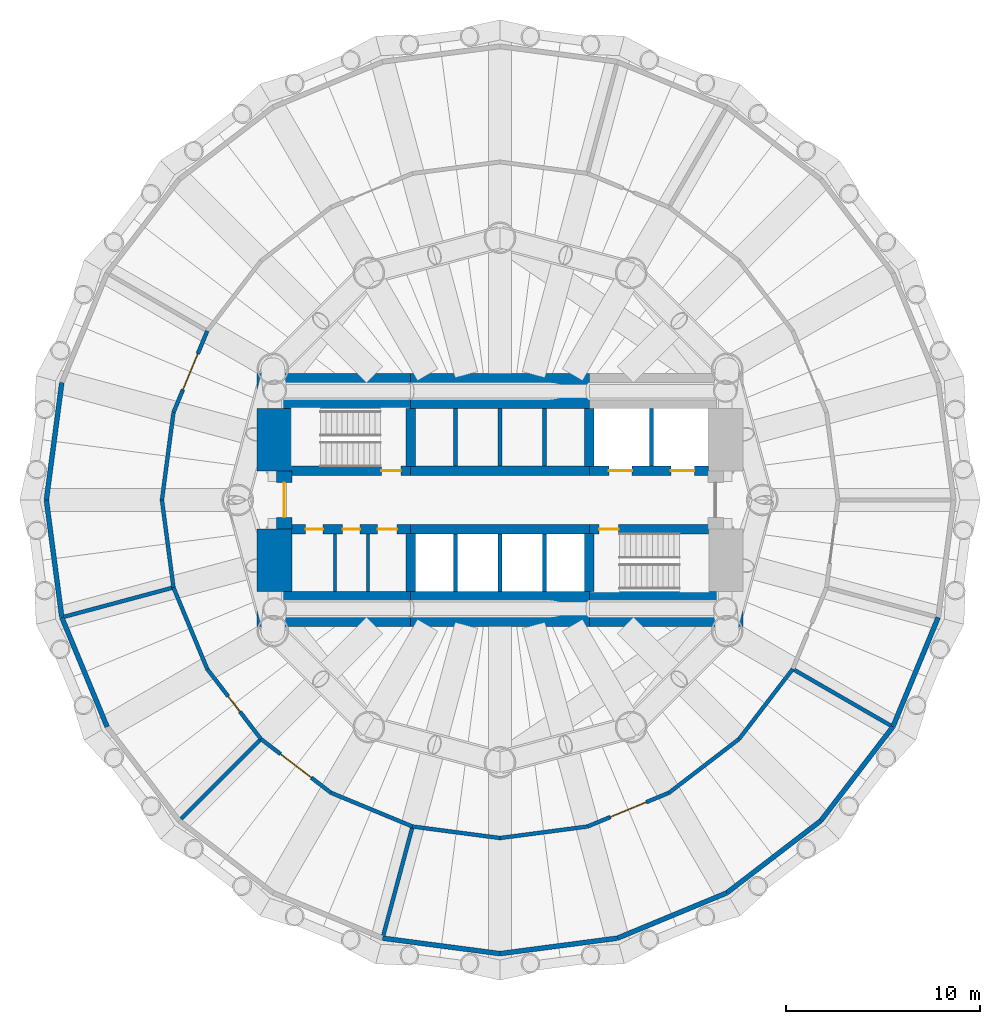
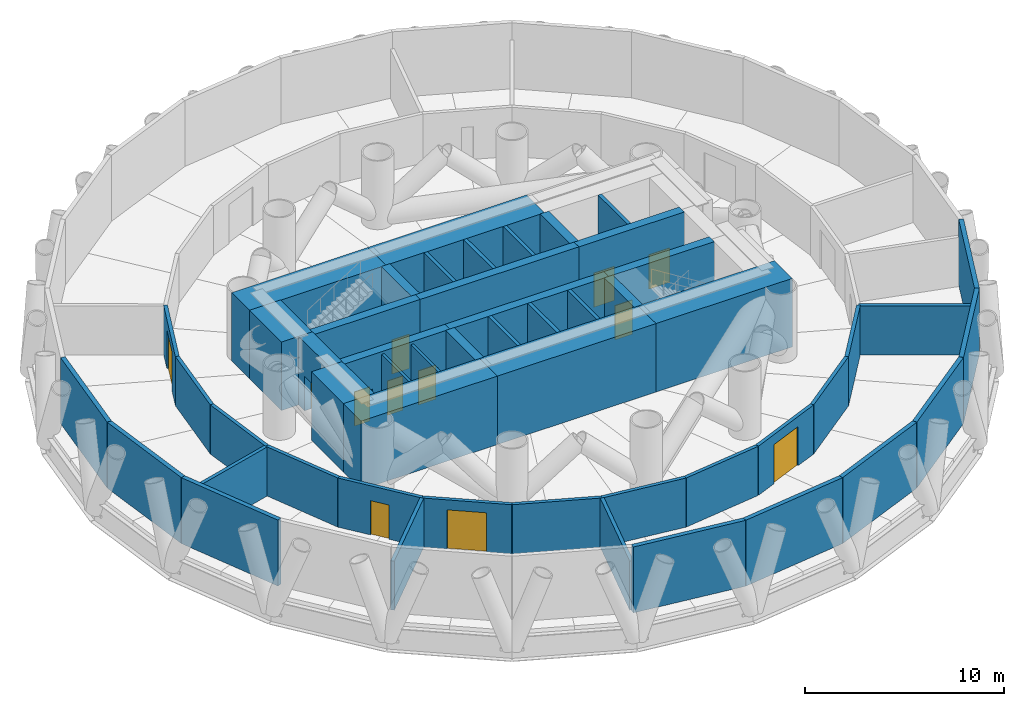
# One storey, part 4 of 6: 52 walls, 12 doors, 12 openings.
"""IFC4 building model written with IfcOpenShell, lengths in metres."""

import ifcopenshell
import ifcopenshell.guid

model = None  # the IFC model being written
_history = None  # IfcOwnerHistory: only IFC2X3 demands one
_inside = {}  # id of a spatial element -> (the spatial element, [elements in it])
_under = {}  # id of a project, library or spatial element -> (it, [spatial elements below it])
_declared = {}  # id of a project -> (the project, [libraries it declares])
_typed = {}  # id of a type object -> (the type object, [elements of that type])
_made_of = {}  # id of a material, layer set ... -> (it, [elements and type objects made of it])


def new_model(schema):
    """Start an empty IFC model of exactly this schema.

    Asked for "IFC4X3", IfcOpenShell would pick the latest addendum, in which some entities
    have other attributes; the version numbers below select the first issue.
    IFC2X3 requires an IfcOwnerHistory on every rooted entity: one is made here for all.
    """
    global model, _history
    if schema == "IFC4X3":
        model = ifcopenshell.file(schema_version=(4, 3, 0, 0))
    else:
        model = ifcopenshell.file(schema=schema)
    _inside.clear()
    _under.clear()
    _declared.clear()
    _typed.clear()
    _made_of.clear()
    _history = None
    if model.schema == "IFC2X3":
        org = make("IfcOrganization", Name="unknown")
        user = make(
            "IfcPersonAndOrganization",
            ThePerson=make("IfcPerson", FamilyName="unknown"),
            TheOrganization=org,
        )
        app = make(
            "IfcApplication",
            ApplicationDeveloper=org,
            Version="unknown",
            ApplicationFullName="unknown",
            ApplicationIdentifier="unknown",
        )
        _history = make(
            "IfcOwnerHistory",
            OwningUser=user,
            OwningApplication=app,
            ChangeAction="ADDED",
            CreationDate=0,
        )
    return model


def make(cls, **values):
    """One entity of the class cls with the attributes given. An attribute that is None is left unset."""
    return model.create_entity(
        cls, **{name: value for name, value in values.items() if value is not None}
    )


def rooted(cls, **values):
    """An entity with a GlobalId (a new one), such as an element, a storey or a relation."""
    return make(cls, GlobalId=ifcopenshell.guid.new(), OwnerHistory=_history, **values)


def si_unit(unit_type, name, prefix=None):
    """IfcSIUnit, for example si_unit("LENGTHUNIT", "METRE", prefix="MILLI")."""
    return make("IfcSIUnit", UnitType=unit_type, Prefix=prefix, Name=name)


def assignment(units):
    """IfcUnitAssignment: the units of a project."""
    return None if units is None else make("IfcUnitAssignment", Units=units)


def point(xyz):
    """IfcCartesianPoint."""
    return None if xyz is None else make("IfcCartesianPoint", Coordinates=xyz)


def direction(xyz):
    """IfcDirection."""
    return None if xyz is None else make("IfcDirection", DirectionRatios=xyz)


def frame(location, z_axis=None, x_axis=None):
    """IfcAxis2Placement3D, a coordinate frame: its origin and axes. An axis left out is left unset."""
    return make(
        "IfcAxis2Placement3D",
        Location=point(location),
        Axis=direction(z_axis),
        RefDirection=direction(x_axis),
    )


def frame_2d(location, x_axis=None):
    """IfcAxis2Placement2D, a coordinate frame in the plane: its origin and x axis."""
    return make(
        "IfcAxis2Placement2D", Location=point(location), RefDirection=direction(x_axis)
    )


def origin():
    """The frame at (0, 0, 0) with its axes left unset."""
    return frame((0.0, 0.0, 0.0))


def place(relative_to, where):
    """IfcLocalPlacement: puts the frame where relative to a parent placement (None: the world)."""
    return make(
        "IfcLocalPlacement", PlacementRelTo=relative_to, RelativePlacement=where
    )


def context(
    kind, dimensions, precision=None, world=None, true_north=None, identifier=None
):
    """IfcGeometricRepresentationContext, for example the 3D "Model" context."""
    return make(
        "IfcGeometricRepresentationContext",
        ContextIdentifier=identifier,
        ContextType=kind,
        CoordinateSpaceDimension=dimensions,
        Precision=precision,
        WorldCoordinateSystem=world,
        TrueNorth=true_north,
    )


def subcontext(parent, identifier, kind, view, scale=None):
    """IfcGeometricRepresentationSubContext, for example "Body" below "Model"."""
    return make(
        "IfcGeometricRepresentationSubContext",
        ContextIdentifier=identifier,
        ContextType=kind,
        ParentContext=parent,
        TargetScale=scale,
        TargetView=view,
    )


def project(units=None, contexts=None):
    """IfcProject with its units and contexts."""
    return rooted(
        "IfcProject",
        Name="project",
        RepresentationContexts=contexts,
        UnitsInContext=assignment(units),
    )


def spatial(cls, under=None, at=None, **own):
    """A site, building, storey or space (cls), placed at a placement, below another one or the project."""
    s = rooted(cls, ObjectPlacement=at, **own)
    if under is not None:
        _under.setdefault(under.id(), (under, []))[1].append(s)
    return s


def profile(cls, at=None, kind="AREA", **sizes):
    """A parametric profile (cls). Its sizes go by their IFC names, for example OverallWidth=200.0."""
    return make(cls, ProfileType=kind, Position=at, **sizes)


def rectangle(**sizes):
    """IfcRectangleProfileDef."""
    return profile("IfcRectangleProfileDef", **sizes)


def extrude(swept, where, along, depth):
    """IfcExtrudedAreaSolid: the profile swept, set in the frame where, extruded along a direction by depth."""
    return make(
        "IfcExtrudedAreaSolid",
        SweptArea=swept,
        Position=where,
        ExtrudedDirection=direction(along),
        Depth=depth,
    )


def shape(context_of_items, identifier, shape_type, items):
    """IfcShapeRepresentation: the items that make up one representation, for example the "Body"."""
    return make(
        "IfcShapeRepresentation",
        ContextOfItems=context_of_items,
        RepresentationIdentifier=identifier,
        RepresentationType=shape_type,
        Items=items,
    )


def material(Name=None, Category=None):
    """IfcMaterial."""
    return make("IfcMaterial", Name=Name, Category=Category)


def layer(
    of_material, thickness, ventilated=None, Name=None, Category=None, Priority=None
):
    """IfcMaterialLayer: one layer of a wall or slab, of a material (None: an air gap)."""
    return make(
        "IfcMaterialLayer",
        Material=of_material,
        LayerThickness=thickness,
        IsVentilated=ventilated,
        Name=Name,
        Category=Category,
        Priority=Priority,
    )


def layer_set(layers, Name=None):
    """IfcMaterialLayerSet."""
    return make("IfcMaterialLayerSet", MaterialLayers=layers, LayerSetName=Name)


def made_of(thing, what):
    """Note that an element or type object is made of a material, layer set ...; save() writes the relation."""
    if what is not None:
        _made_of.setdefault(what.id(), (what, []))[1].append(thing)
    return thing


def type_object(cls, material=None, **own):
    """A type object (cls), such as IfcWallType, which elements share."""
    return made_of(rooted(cls, **own), material)


def element(
    cls,
    number,
    at=None,
    inside=None,
    cuts=None,
    type_object=None,
    material=None,
    context=None,
    identifier="Body",
    shape_type=None,
    held_by="IfcProductDefinitionShape",
    body=None,
    shapes=None,
    **own,
):
    """One element of the class cls, such as IfcWall. Its Tag is "e" and its number.

    at: its placement. inside: the storey or other place that contains it. cuts: it is an
    opening in that element (IfcRelVoidsElement). A single representation is given by context,
    identifier, shape_type and body (its items); several are given by shapes. held_by: the class
    of the entity that holds the representations. save() writes the other relations.
    """
    e = rooted(cls, Tag="e%d" % number, ObjectPlacement=at, **own)
    if body is not None:
        shapes = [shape(context, identifier, shape_type, body)]
    if shapes is not None:
        e.Representation = make(held_by, Representations=shapes)
    if inside is not None:
        _inside.setdefault(inside.id(), (inside, []))[1].append(e)
    if cuts is not None:
        rooted(
            "IfcRelVoidsElement", RelatingBuildingElement=cuts, RelatedOpeningElement=e
        )
    if type_object is not None:
        _typed.setdefault(type_object.id(), (type_object, []))[1].append(e)
    return made_of(e, material)


def fill(opening, filler):
    """IfcRelFillsElement: the door or window that sits in an opening."""
    return rooted(
        "IfcRelFillsElement",
        RelatingOpeningElement=opening,
        RelatedBuildingElement=filler,
    )


def aggregate(whole, parts):
    """IfcRelAggregates: a whole, such as a stair, and the parts it consists of."""
    return rooted("IfcRelAggregates", RelatingObject=whole, RelatedObjects=parts)


def save(model, path):
    """Write the relations noted so far, then the file.

    IfcRelAggregates (storeys below a building ...), IfcRelContainedInSpatialStructure (elements
    in a storey), IfcRelDefinesByType, IfcRelAssociatesMaterial and IfcRelDeclares: one each for
    every whole, place, type object, material and project.
    """
    for whole, parts in _under.values():
        aggregate(whole, parts)
    for where, things in _inside.values():
        rooted(
            "IfcRelContainedInSpatialStructure",
            RelatedElements=things,
            RelatingStructure=where,
        )
    for kind, things in _typed.values():
        rooted("IfcRelDefinesByType", RelatedObjects=things, RelatingType=kind)
    for what, things in _made_of.values():
        rooted("IfcRelAssociatesMaterial", RelatedObjects=things, RelatingMaterial=what)
    for by, libraries in _declared.values():
        rooted("IfcRelDeclares", RelatingContext=by, RelatedDefinitions=libraries)
    model.write(path)


model = new_model("IFC4")

# Units and contexts
model_context = context("Model", 3, precision=1e-05, world=origin(), true_north=direction((0.0, 1.0)))
body_context = subcontext(model_context, "Body", "Model", "MODEL_VIEW")
ifc_project = project(units=[si_unit("LENGTHUNIT", "METRE"), si_unit("AREAUNIT", "SQUARE_METRE"), si_unit("VOLUMEUNIT", "CUBIC_METRE"), si_unit("PLANEANGLEUNIT", "RADIAN"), si_unit("MASSUNIT", "GRAM", prefix="KILO")], contexts=[model_context])

# Site, building, storey
site_placement = place(None, origin())
site = spatial("IfcSite", under=ifc_project, at=site_placement, CompositionType="ELEMENT")
building_placement = place(site_placement, origin())
building = spatial("IfcBuilding", under=site, at=building_placement, Name="Qaws Media Tower", CompositionType="ELEMENT")
storey_placement = place(building_placement, frame((0.0, 0.0, 194.0)))
storey = spatial("IfcBuildingStorey", under=building, at=storey_placement, Name="L44", CompositionType="ELEMENT", Elevation=194.0)

# Wall, opening, door
ifc_material_1 = material(Name="Concrete C60/75", Category="concrete")
ifc_layer_1 = layer(ifc_material_1, 0.5)
ifc_layer_set_1 = layer_set([ifc_layer_1], Name="Core inner wall 500")
wall_type_1 = type_object("IfcWallType", Name="Core inner wall 500", PredefinedType="SHEAR", material=ifc_layer_set_1)
wall_1_placement = place(storey_placement, frame((49.280029296875, 51.5, 0.0), z_axis=(0.0, 0.0, 1.0), x_axis=(1.0, 0.0, 0.0)))
wall_1 = element("IfcWall", 1, at=wall_1_placement, inside=storey, type_object=wall_type_1, Name="W347 SW12 core wall SPNW L44", PredefinedType="SHEAR", context=body_context, shape_type="SweptSolid", body=[
    extrude(rectangle(XDim=6.119873046875, YDim=0.5, at=frame_2d((3.06005859375, 0.0))), origin(), (0.0, 0.0, 1.0), 4.199951171875),
])
opening_1_placement = place(wall_1_placement, frame((4.6201171875, 0.0, 0.0)))
opening_1 = element("IfcOpeningElement", 2, at=opening_1_placement, cuts=wall_1, Name="Opening D1", PredefinedType="OPENING", context=body_context, shape_type="SweptSolid", body=[
    extrude(rectangle(XDim=1.0, YDim=2.10009765625, at=frame_2d((0.5, 1.050048828125))), frame((0.0, 0.260009765625, 0.0), z_axis=(0.0, -1.0, 0.0), x_axis=(1.0, 0.0, 0.0)), (0.0, 0.0, 1.0), 0.52001953125),
])
ifc_material_2 = material(Name="Steel, fire rated", Category="steel")
door_type_1 = type_object("IfcDoorType", Name="Stair door 1000 FD120", OperationType="SINGLE_SWING_LEFT", PredefinedType="DOOR", material=ifc_material_2)
door_1_placement = place(opening_1_placement, origin())
door_1 = element("IfcDoor", 3, at=door_1_placement, inside=storey, type_object=door_type_1, Name="D1 stair S1 door L44 in wall W347", OperationType="SINGLE_SWING_LEFT", OverallHeight=2.10009765625, OverallWidth=1.0, PredefinedType="DOOR", context=body_context, shape_type="SweptSolid", body=[
    extrude(rectangle(XDim=1.0, YDim=2.10009765625, at=frame_2d((0.5, 1.050048828125))), frame((0.0, 0.02490234375, 0.0), z_axis=(0.0, -1.0, 0.0), x_axis=(1.0, 0.0, 0.0)), (0.0, 0.0, 1.0), 0.050048828125),
])
fill(opening_1, door_1)

# Wall
wall_2_placement = place(storey_placement, frame((55.39990234375, 51.5, 0.0), z_axis=(0.0, 0.0, 1.0), x_axis=(1.0, 0.0, 0.0)))
element("IfcWall", 4, at=wall_2_placement, inside=storey, type_object=wall_type_1, Name="W332 SW12 core wall SPN L44", PredefinedType="SHEAR", context=body_context, shape_type="SweptSolid", body=[
    extrude(rectangle(XDim=9.2001953125, YDim=0.5, at=frame_2d((4.60009765625, 0.0))), origin(), (0.0, 0.0, 1.0), 4.199951171875),
])

# Wall, openings, doors
wall_3_placement = place(storey_placement, frame((64.60009765625, 51.5, 0.0), z_axis=(0.0, 0.0, 1.0), x_axis=(1.0, 0.0, 0.0)))
wall_3 = element("IfcWall", 5, at=wall_3_placement, inside=storey, type_object=wall_type_1, Name="W352 SW12 core wall SPNE L44", PredefinedType="SHEAR", context=body_context, shape_type="SweptSolid", body=[
    extrude(rectangle(XDim=6.119873046875, YDim=0.5, at=frame_2d((3.06005859375, 0.0))), origin(), (0.0, 0.0, 1.0), 4.199951171875),
])
opening_2_placement = place(wall_3_placement, frame((1.0, 0.0, 0.0)))
opening_2 = element("IfcOpeningElement", 6, at=opening_2_placement, cuts=wall_3, Name="Opening LD2", PredefinedType="OPENING", context=body_context, shape_type="SweptSolid", body=[
    extrude(rectangle(XDim=1.199951171875, YDim=2.10009765625, at=frame_2d((0.60009765625, 1.050048828125))), frame((0.0, 0.260009765625, 0.0), z_axis=(0.0, -1.0, 0.0), x_axis=(1.0, 0.0, 0.0)), (0.0, 0.0, 1.0), 0.52001953125),
])
opening_3_placement = place(wall_3_placement, frame((4.199951171875, 0.0, 0.0)))
opening_3 = element("IfcOpeningElement", 7, at=opening_3_placement, cuts=wall_3, Name="Opening LD2", PredefinedType="OPENING", context=body_context, shape_type="SweptSolid", body=[
    extrude(rectangle(XDim=1.199951171875, YDim=2.10009765625, at=frame_2d((0.60009765625, 1.050048828125))), frame((0.0, 0.260009765625, 0.0), z_axis=(0.0, -1.0, 0.0), x_axis=(1.0, 0.0, 0.0)), (0.0, 0.0, 1.0), 0.52001953125),
])
ifc_material_3 = material(Name="Steel, fire rated", Category="steel")
door_type_2 = type_object("IfcDoorType", Name="Lift landing door 1200", OperationType="SLIDING_TO_LEFT", PredefinedType="DOOR", material=ifc_material_3)
door_2_placement = place(opening_2_placement, origin())
door_2 = element("IfcDoor", 8, at=door_2_placement, inside=storey, type_object=door_type_2, Name="FL1 landing door L44 in wall W352", OperationType="SLIDING_TO_LEFT", OverallHeight=2.10009765625, OverallWidth=1.199951171875, PredefinedType="DOOR", context=body_context, shape_type="SweptSolid", body=[
    extrude(rectangle(XDim=1.199951171875, YDim=2.10009765625, at=frame_2d((0.60009765625, 1.050048828125))), frame((0.0, 0.02490234375, 0.0), z_axis=(0.0, -1.0, 0.0), x_axis=(1.0, 0.0, 0.0)), (0.0, 0.0, 1.0), 0.050048828125),
])
fill(opening_2, door_2)
door_3_placement = place(opening_3_placement, origin())
door_3 = element("IfcDoor", 9, at=door_3_placement, inside=storey, type_object=door_type_2, Name="FL2 landing door L44 in wall W352", OperationType="SLIDING_TO_LEFT", OverallHeight=2.10009765625, OverallWidth=1.199951171875, PredefinedType="DOOR", context=body_context, shape_type="SweptSolid", body=[
    extrude(rectangle(XDim=1.199951171875, YDim=2.10009765625, at=frame_2d((0.60009765625, 1.050048828125))), frame((0.0, 0.02490234375, 0.0), z_axis=(0.0, -1.0, 0.0), x_axis=(1.0, 0.0, 0.0)), (0.0, 0.0, 1.0), 0.050048828125),
])
fill(opening_3, door_3)

wall_4_placement = place(storey_placement, frame((49.280029296875, 48.5, 0.0), z_axis=(0.0, 0.0, 1.0), x_axis=(1.0, 0.0, 0.0)))
wall_4 = element("IfcWall", 10, at=wall_4_placement, inside=storey, type_object=wall_type_1, Name="W346 SW12 core wall SPSW L44", PredefinedType="SHEAR", context=body_context, shape_type="SweptSolid", body=[
    extrude(rectangle(XDim=6.119873046875, YDim=0.5, at=frame_2d((3.06005859375, 0.0))), origin(), (0.0, 0.0, 1.0), 4.199951171875),
])
opening_4_placement = place(wall_4_placement, frame((0.719970703125, 0.0, 0.0)))
opening_4 = element("IfcOpeningElement", 11, at=opening_4_placement, cuts=wall_4, Name="Opening D3", PredefinedType="OPENING", context=body_context, shape_type="SweptSolid", body=[
    extrude(rectangle(XDim=0.89990234375, YDim=2.10009765625, at=frame_2d((0.449951171875, 1.050048828125))), frame((0.0, 0.260009765625, 0.0), z_axis=(0.0, -1.0, 0.0), x_axis=(1.0, 0.0, 0.0)), (0.0, 0.0, 1.0), 0.52001953125),
])
opening_5_placement = place(wall_4_placement, frame((2.6201171875, 0.0, 0.0)))
opening_5 = element("IfcOpeningElement", 12, at=opening_5_placement, cuts=wall_4, Name="Opening D3", PredefinedType="OPENING", context=body_context, shape_type="SweptSolid", body=[
    extrude(rectangle(XDim=0.89990234375, YDim=2.10009765625, at=frame_2d((0.449951171875, 1.050048828125))), frame((0.0, 0.260009765625, 0.0), z_axis=(0.0, -1.0, 0.0), x_axis=(1.0, 0.0, 0.0)), (0.0, 0.0, 1.0), 0.52001953125),
])
opening_6_placement = place(wall_4_placement, frame((4.419921875, 0.0, 0.0)))
opening_6 = element("IfcOpeningElement", 13, at=opening_6_placement, cuts=wall_4, Name="Opening D4", PredefinedType="OPENING", context=body_context, shape_type="SweptSolid", body=[
    extrude(rectangle(XDim=1.0, YDim=2.10009765625, at=frame_2d((0.5, 1.050048828125))), frame((0.0, 0.260009765625, 0.0), z_axis=(0.0, -1.0, 0.0), x_axis=(1.0, 0.0, 0.0)), (0.0, 0.0, 1.0), 0.52001953125),
])
ifc_material_4 = material(Name="Timber veneered", Category="wood")
door_type_3 = type_object("IfcDoorType", Name="Accessible WC door 1000", OperationType="SLIDING_TO_LEFT", PredefinedType="DOOR", material=ifc_material_4)
door_4_placement = place(opening_6_placement, origin())
door_4 = element("IfcDoor", 14, at=door_4_placement, inside=storey, type_object=door_type_3, Name="D4 toilet door 3 L44 in wall W346", OperationType="SLIDING_TO_LEFT", OverallHeight=2.10009765625, OverallWidth=1.0, PredefinedType="DOOR", context=body_context, shape_type="SweptSolid", body=[
    extrude(rectangle(XDim=1.0, YDim=2.10009765625, at=frame_2d((0.5, 1.050048828125))), frame((0.0, 0.02490234375, 0.0), z_axis=(0.0, -1.0, 0.0), x_axis=(1.0, 0.0, 0.0)), (0.0, 0.0, 1.0), 0.050048828125),
])
fill(opening_6, door_4)
ifc_material_5 = material(Name="Timber veneered", Category="wood")
door_type_4 = type_object("IfcDoorType", Name="Toilet door 900", OperationType="SINGLE_SWING_RIGHT", PredefinedType="DOOR", material=ifc_material_5)
door_5_placement = place(opening_4_placement, origin())
door_5 = element("IfcDoor", 15, at=door_5_placement, inside=storey, type_object=door_type_4, Name="D3 toilet door 1 L44 in wall W346", OperationType="SINGLE_SWING_RIGHT", OverallHeight=2.10009765625, OverallWidth=0.89990234375, PredefinedType="DOOR", context=body_context, shape_type="SweptSolid", body=[
    extrude(rectangle(XDim=0.89990234375, YDim=2.10009765625, at=frame_2d((0.449951171875, 1.050048828125))), frame((0.0, 0.02490234375, 0.0), z_axis=(0.0, -1.0, 0.0), x_axis=(1.0, 0.0, 0.0)), (0.0, 0.0, 1.0), 0.050048828125),
])
fill(opening_4, door_5)
door_6_placement = place(opening_5_placement, origin())
door_6 = element("IfcDoor", 16, at=door_6_placement, inside=storey, type_object=door_type_4, Name="D3 toilet door 2 L44 in wall W346", OperationType="SINGLE_SWING_RIGHT", OverallHeight=2.10009765625, OverallWidth=0.89990234375, PredefinedType="DOOR", context=body_context, shape_type="SweptSolid", body=[
    extrude(rectangle(XDim=0.89990234375, YDim=2.10009765625, at=frame_2d((0.449951171875, 1.050048828125))), frame((0.0, 0.02490234375, 0.0), z_axis=(0.0, -1.0, 0.0), x_axis=(1.0, 0.0, 0.0)), (0.0, 0.0, 1.0), 0.050048828125),
])
fill(opening_5, door_6)

# Wall
wall_5_placement = place(storey_placement, frame((55.39990234375, 48.5, 0.0), z_axis=(0.0, 0.0, 1.0), x_axis=(1.0, 0.0, 0.0)))
element("IfcWall", 17, at=wall_5_placement, inside=storey, type_object=wall_type_1, Name="W331 SW12 core wall SPS L44", PredefinedType="SHEAR", context=body_context, shape_type="SweptSolid", body=[
    extrude(rectangle(XDim=9.2001953125, YDim=0.5, at=frame_2d((4.60009765625, 0.0))), origin(), (0.0, 0.0, 1.0), 4.199951171875),
])

# Wall, opening, door
wall_6_placement = place(storey_placement, frame((64.60009765625, 48.5, 0.0), z_axis=(0.0, 0.0, 1.0), x_axis=(1.0, 0.0, 0.0)))
wall_6 = element("IfcWall", 18, at=wall_6_placement, inside=storey, type_object=wall_type_1, Name="W351 SW12 core wall SPSE L44", PredefinedType="SHEAR", context=body_context, shape_type="SweptSolid", body=[
    extrude(rectangle(XDim=6.119873046875, YDim=0.5, at=frame_2d((3.06005859375, 0.0))), origin(), (0.0, 0.0, 1.0), 4.199951171875),
])
opening_7_placement = place(wall_6_placement, frame((0.5, 0.0, 0.0)))
opening_7 = element("IfcOpeningElement", 19, at=opening_7_placement, cuts=wall_6, Name="Opening D1", PredefinedType="OPENING", context=body_context, shape_type="SweptSolid", body=[
    extrude(rectangle(XDim=1.0, YDim=2.10009765625, at=frame_2d((0.5, 1.050048828125))), frame((0.0, 0.260009765625, 0.0), z_axis=(0.0, -1.0, 0.0), x_axis=(1.0, 0.0, 0.0)), (0.0, 0.0, 1.0), 0.52001953125),
])
door_7_placement = place(opening_7_placement, origin())
door_7 = element("IfcDoor", 20, at=door_7_placement, inside=storey, type_object=door_type_1, Name="D1 stair S2 door L44 in wall W351", OperationType="SINGLE_SWING_LEFT", OverallHeight=2.10009765625, OverallWidth=1.0, PredefinedType="DOOR", context=body_context, shape_type="SweptSolid", body=[
    extrude(rectangle(XDim=1.0, YDim=2.10009765625, at=frame_2d((0.5, 1.050048828125))), frame((0.0, 0.02490234375, 0.0), z_axis=(0.0, -1.0, 0.0), x_axis=(1.0, 0.0, 0.0)), (0.0, 0.0, 1.0), 0.050048828125),
])
fill(opening_7, door_7)

# Walls
for number, where, z_axis, x_axis, name in (
    (21, (55.39990234375, 51.72998046875, 0.0), (0.0, 0.0, 1.0), (0.0, 1.0, 0.0), "W349 SW12 core wall XNW L44"),
    (22, (64.60009765625, 51.72998046875, 0.0), (0.0, 0.0, 1.0), (0.0, 1.0, 0.0), "W353 SW12 core wall XNE L44"),
    (23, (55.39990234375, 48.27001953125, 0.0), (0.0, 0.0, 1.0), (0.0, -1.0, 0.0), "W348 SW12 core wall XSW L44"),
    (24, (64.60009765625, 48.27001953125, 0.0), (0.0, 0.0, 1.0), (0.0, -1.0, 0.0), "W350 SW12 core wall XSE L44"),
):
    element("IfcWall", number, at=place(storey_placement, frame(where, z_axis=z_axis, x_axis=x_axis)), inside=storey, type_object=wall_type_1, Name=name, PredefinedType="SHEAR", context=body_context, shape_type="SweptSolid", body=[
        extrude(rectangle(XDim=2.989990234375, YDim=0.5, at=frame_2d((1.4951171875, 0.0))), origin(), (0.0, 0.0, 1.0), 4.199951171875),
    ])
ifc_material_6 = material(Name="Concrete C60/75", Category="concrete")
ifc_layer_2 = layer(ifc_material_6, 1.800048828125)
ifc_layer_set_2 = layer_set([ifc_layer_2], Name="Core wall 1800")
wall_type_2 = type_object("IfcWallType", Name="Core wall 1800", PredefinedType="SHEAR", material=ifc_layer_set_2)
wall_7_placement = place(storey_placement, frame((47.5, 55.60009765625, 0.0), z_axis=(0.0, 0.0, 1.0), x_axis=(1.0, 0.0, 0.0)))
element("IfcWall", 25, at=wall_7_placement, inside=storey, type_object=wall_type_2, Name="W429 SW11 core wall NW L44", PredefinedType="SHEAR", context=body_context, shape_type="SweptSolid", body=[
    extrude(rectangle(XDim=7.89990234375, YDim=1.800048828125, at=frame_2d((3.949951171875, 0.0))), origin(), (0.0, 0.0, 1.0), 4.199951171875),
])
wall_8_placement = place(storey_placement, frame((55.39990234375, 55.60009765625, 0.0), z_axis=(0.0, 0.0, 1.0), x_axis=(1.0, 0.0, 0.0)))
element("IfcWall", 26, at=wall_8_placement, inside=storey, type_object=wall_type_2, Name="W433 SW11 core wall N L44", PredefinedType="SHEAR", context=body_context, shape_type="SweptSolid", body=[
    extrude(rectangle(XDim=9.2001953125, YDim=1.800048828125, at=frame_2d((4.60009765625, 0.0))), origin(), (0.0, 0.0, 1.0), 4.199951171875),
])
wall_9_placement = place(storey_placement, frame((47.5, 44.39990234375, 0.0), z_axis=(0.0, 0.0, 1.0), x_axis=(1.0, 0.0, 0.0)))
element("IfcWall", 27, at=wall_9_placement, inside=storey, type_object=wall_type_2, Name="W428 SW11 core wall SW L44", PredefinedType="SHEAR", context=body_context, shape_type="SweptSolid", body=[
    extrude(rectangle(XDim=7.89990234375, YDim=1.800048828125, at=frame_2d((3.949951171875, 0.0))), origin(), (0.0, 0.0, 1.0), 4.199951171875),
])
wall_10_placement = place(storey_placement, frame((55.39990234375, 44.39990234375, 0.0), z_axis=(0.0, 0.0, 1.0), x_axis=(1.0, 0.0, 0.0)))
element("IfcWall", 28, at=wall_10_placement, inside=storey, type_object=wall_type_2, Name="W432 SW11 core wall S L44", PredefinedType="SHEAR", context=body_context, shape_type="SweptSolid", body=[
    extrude(rectangle(XDim=9.2001953125, YDim=1.800048828125, at=frame_2d((4.60009765625, 0.0))), origin(), (0.0, 0.0, 1.0), 4.199951171875),
])
wall_11_placement = place(storey_placement, frame((64.60009765625, 44.39990234375, 0.0), z_axis=(0.0, 0.0, 1.0), x_axis=(1.0, 0.0, 0.0)))
element("IfcWall", 29, at=wall_11_placement, inside=storey, type_object=wall_type_2, Name="W434 SW11 core wall SE L44", PredefinedType="SHEAR", context=body_context, shape_type="SweptSolid", body=[
    extrude(rectangle(XDim=7.89990234375, YDim=1.800048828125, at=frame_2d((3.949951171875, 0.0))), origin(), (0.0, 0.0, 1.0), 4.199951171875),
])
for number, where, z_axis, x_axis, name in (
    (30, (48.39990234375, 45.280029296875, 0.0), (0.0, 0.0, 1.0), (0.0, 1.0, 0.0), "W430 SW11 core wall WS L44"),
    (31, (48.39990234375, 51.5, 0.0), (0.0, 0.0, 1.0), (0.0, 1.0, 0.0), "W431 SW11 core wall WN L44"),
):
    element("IfcWall", number, at=place(storey_placement, frame(where, z_axis=z_axis, x_axis=x_axis)), inside=storey, type_object=wall_type_2, Name=name, PredefinedType="SHEAR", context=body_context, shape_type="SweptSolid", body=[
        extrude(rectangle(XDim=3.219970703125, YDim=1.800048828125, at=frame_2d((1.60986328125, 0.0))), origin(), (0.0, 0.0, 1.0), 4.199951171875),
    ])

# Wall, opening, door
ifc_material_7 = material(Name="Concrete C60/75", Category="concrete")
ifc_layer_3 = layer(ifc_material_7, 0.800048828125)
ifc_layer_set_3 = layer_set([ifc_layer_3], Name="Core wall 800")
wall_type_3 = type_object("IfcWallType", Name="Core wall 800", PredefinedType="SHEAR", material=ifc_layer_set_3)
wall_12_placement = place(storey_placement, frame((48.89990234375, 48.5, 0.0), z_axis=(0.0, 0.0, 1.0), x_axis=(0.0, 1.0, 0.0)))
wall_12 = element("IfcWall", 32, at=wall_12_placement, inside=storey, type_object=wall_type_3, Name="W440 SW1 core wall W L44", PredefinedType="SHEAR", context=body_context, shape_type="SweptSolid", body=[
    extrude(rectangle(XDim=3.0, YDim=0.800048828125, at=frame_2d((1.5, 0.0))), origin(), (0.0, 0.0, 1.0), 4.199951171875),
])
opening_8_placement = place(wall_12_placement, frame((0.60009765625, 0.0, 0.0)))
opening_8 = element("IfcOpeningElement", 33, at=opening_8_placement, cuts=wall_12, Name="Opening D2", PredefinedType="OPENING", context=body_context, shape_type="SweptSolid", body=[
    extrude(rectangle(XDim=1.800048828125, YDim=2.10009765625, at=frame_2d((0.89990234375, 1.050048828125))), frame((0.0, 0.409912109375, 0.0), z_axis=(0.0, -1.0, 0.0), x_axis=(1.0, 0.0, 0.0)), (0.0, 0.0, 1.0), 0.820068359375),
])
ifc_material_8 = material(Name="Steel and glass, fire rated", Category="steel")
door_type_5 = type_object("IfcDoorType", Name="Lobby door pair 1800 FD60", OperationType="DOUBLE_DOOR_DOUBLE_SWING", PredefinedType="DOOR", material=ifc_material_8)
door_8_placement = place(opening_8_placement, origin())
door_8 = element("IfcDoor", 34, at=door_8_placement, inside=storey, type_object=door_type_5, Name="D2 core lobby door W L44 in wall W440", OperationType="DOUBLE_DOOR_DOUBLE_SWING", OverallHeight=2.10009765625, OverallWidth=1.800048828125, PredefinedType="DOOR", context=body_context, shape_type="SweptSolid", body=[
    extrude(rectangle(XDim=1.800048828125, YDim=2.10009765625, at=frame_2d((0.89990234375, 1.050048828125))), frame((0.0, 0.02490234375, 0.0), z_axis=(0.0, -1.0, 0.0), x_axis=(1.0, 0.0, 0.0)), (0.0, 0.0, 1.0), 0.050048828125),
])
fill(opening_8, door_8)

# Walls
ifc_material_9 = material(Name="Precast concrete louvre panels", Category="concrete")
ifc_layer_4 = layer(ifc_material_9, 0.25)
ifc_layer_set_4 = layer_set([ifc_layer_4], Name="Crown louvre wall 250")
wall_type_4 = type_object("IfcWallType", Name="Crown louvre wall 250", PredefinedType="SOLIDWALL", material=ifc_layer_set_4)
for number, where, z_axis, x_axis, name in (
    (35, (37.445556640625, 56.04345703125, 0.0), (0.0, 0.0, 1.0), (-0.130529108506, -0.991444477433, 0.0), "W468 EW3 louvre wall L44-12"),
    (36, (36.64990234375, 50.0, 0.0), (0.0, 0.0, 1.0), (0.130529108506, -0.991444477433, 0.0), "W466 EW3 louvre wall L44-13"),
    (37, (37.445556640625, 43.95654296875, 0.0), (0.0, 0.0, 1.0), (0.382694910632, -0.923874777974, 0.0), "W467 EW3 louvre wall L44-14"),
    (38, (53.95654296875, 27.445556640625, 0.0), (0.0, 0.0, 1.0), (0.991444477433, -0.130529108506, 0.0), "W475 EW3 louvre wall L44-18"),
    (39, (60.0, 26.64990234375, 0.0), (0.0, 0.0, 1.0), (0.991444477433, 0.130529108506, 0.0), "W477 EW3 louvre wall L44-19"),
    (40, (66.04345703125, 27.445556640625, 0.0), (0.0, 0.0, 1.0), (0.923874777974, 0.382694910632, 0.0), "W479 EW3 louvre wall L44-20"),
):
    element("IfcWall", number, at=place(storey_placement, frame(where, z_axis=z_axis, x_axis=x_axis)), inside=storey, type_object=wall_type_4, Name=name, PredefinedType="SOLIDWALL", context=body_context, shape_type="SweptSolid", body=[
        extrude(rectangle(XDim=6.095703125, YDim=0.25, at=frame_2d((3.0478515625, 0.0))), origin(), (0.0, 0.0, 1.0), 4.0400390625),
    ])
for number, where, z_axis, x_axis, name in (
    (41, (71.675048828125, 29.7783203125, 0.0), (0.0, 0.0, 1.0), (0.793357460077, 0.608756059961, 0.0), "W481 EW3 louvre wall L44-21"),
    (42, (76.510986328125, 33.489013671875, 0.0), (0.0, 0.0, 1.0), (0.608756059961, 0.793357460077, 0.0), "W483 EW3 louvre wall L44-22"),
):
    element("IfcWall", number, at=place(storey_placement, frame(where, z_axis=z_axis, x_axis=x_axis)), inside=storey, type_object=wall_type_4, Name=name, PredefinedType="SOLIDWALL", context=body_context, shape_type="SweptSolid", body=[
        extrude(rectangle(XDim=6.095458984375, YDim=0.25, at=frame_2d((3.0478515625, 0.0))), origin(), (0.0, 0.0, 1.0), 4.0400390625),
    ])
wall_13_placement = place(storey_placement, frame((80.2216796875, 38.324951171875, 0.0), z_axis=(0.0, 0.0, 1.0), x_axis=(0.382694910632, 0.923874777974, 0.0)))
element("IfcWall", 43, at=wall_13_placement, inside=storey, type_object=wall_type_4, Name="W485 EW3 louvre wall L44-23", PredefinedType="SOLIDWALL", context=body_context, shape_type="SweptSolid", body=[
    extrude(rectangle(XDim=6.095703125, YDim=0.25, at=frame_2d((3.0478515625, 0.0))), origin(), (0.0, 0.0, 1.0), 4.0400390625),
])
ifc_material_10 = material(Name="Gypsum board on galvanised metal studs, acoustic double stud, deflection head", Category="gypsum")
ifc_layer_5 = layer(ifc_material_10, 0.199951171875)
ifc_layer_set_5 = layer_set([ifc_layer_5], Name="Room partition 200")
wall_type_5 = type_object("IfcWallType", Name="Room partition 200", PredefinedType="PARTITIONING", material=ifc_layer_set_5)
for number, where, z_axis, x_axis, name in (
    (44, (44.93115234375, 41.300048828125, 0.0), (0.0, 0.0, 1.0), (-0.382687243654, 0.923877953815, 0.0), "W1469 IW3 partition L44"),
    (45, (43.19287109375, 45.49658203125, 0.0), (0.0, 0.0, 1.0), (-0.130501784914, 0.991448074351, 0.0), "W1467 IW3 partition L44"),
    (46, (42.60009765625, 50.0, 0.0), (0.0, 0.0, 1.0), (0.130501784914, 0.991448074351, 0.0), "W1465 IW3 partition L44"),
):
    element("IfcWall", number, at=place(storey_placement, frame(where, z_axis=z_axis, x_axis=x_axis)), inside=storey, type_object=wall_type_5, Name=name, PredefinedType="PARTITIONING", context=body_context, shape_type="SweptSolid", body=[
        extrude(rectangle(XDim=4.542236328125, YDim=0.199951171875, at=frame_2d((2.27099609375, 0.0))), origin(), (0.0, 0.0, 1.0), 3.011962890625),
    ])

# Wall, opening, door
wall_14_placement = place(storey_placement, frame((43.19287109375, 54.50341796875, 0.0), z_axis=(0.0, 0.0, 1.0), x_axis=(0.382687243654, 0.923877953815, 0.0)))
wall_14 = element("IfcWall", 47, at=wall_14_placement, inside=storey, type_object=wall_type_5, Name="W1468 IW3 partition L44", PredefinedType="PARTITIONING", context=body_context, shape_type="SweptSolid", body=[
    extrude(rectangle(XDim=4.542236328125, YDim=0.199951171875, at=frame_2d((2.27099609375, 0.0))), origin(), (0.0, 0.0, 1.0), 3.011962890625),
])
opening_9_placement = place(wall_14_placement, frame((1.271240234375, 0.0, 0.0)))
opening_9 = element("IfcOpeningElement", 48, at=opening_9_placement, cuts=wall_14, Name="Opening D19", PredefinedType="OPENING", context=body_context, shape_type="SweptSolid", body=[
    extrude(rectangle(XDim=2.0, YDim=2.39990234375, at=frame_2d((1.0, 1.199951171875))), frame((0.0, 0.10986328125, 0.0), z_axis=(0.0, -1.0, 0.0), x_axis=(1.0, 0.0, 0.0)), (0.0, 0.0, 1.0), 0.219970703125),
])
ifc_material_11 = material(Name="Steel, fire rated, louvred", Category="steel")
door_type_6 = type_object("IfcDoorType", Name="Plant room door pair 2000x2400", OperationType="DOUBLE_DOOR_DOUBLE_SWING", PredefinedType="DOOR", material=ifc_material_11)
door_9_placement = place(opening_9_placement, origin())
door_9 = element("IfcDoor", 49, at=door_9_placement, inside=storey, type_object=door_type_6, Name="D19 Chilled water plant room door L44 in wall W1468", OperationType="DOUBLE_DOOR_DOUBLE_SWING", OverallHeight=2.39990234375, OverallWidth=2.0, PredefinedType="DOOR", context=body_context, shape_type="SweptSolid", body=[
    extrude(rectangle(XDim=2.0, YDim=2.39990234375, at=frame_2d((1.0, 1.199951171875))), frame((0.0, 0.02490234375, 0.0), z_axis=(0.0, -1.0, 0.0), x_axis=(1.0, 0.0, 0.0)), (0.0, 0.0, 1.0), 0.050048828125),
])
fill(opening_9, door_9)

# Walls
for number, where, z_axis, x_axis, name in (
    (50, (75.06884765625, 41.300048828125, 0.0), (0.0, 0.0, 1.0), (-0.608744051842, -0.793366673958, 0.0), "W1490 IW3 partition L44"),
    (51, (72.3037109375, 37.6962890625, 0.0), (0.0, 0.0, 1.0), (-0.793366673958, -0.608744051842, 0.0), "W1488 IW3 partition L44"),
):
    element("IfcWall", number, at=place(storey_placement, frame(where, z_axis=z_axis, x_axis=x_axis)), inside=storey, type_object=wall_type_5, Name=name, PredefinedType="PARTITIONING", context=body_context, shape_type="SweptSolid", body=[
        extrude(rectangle(XDim=4.54248046875, YDim=0.199951171875, at=frame_2d((2.271240234375, 0.0))), origin(), (0.0, 0.0, 1.0), 3.011962890625),
    ])

# Wall, opening, door
wall_15_placement = place(storey_placement, frame((68.699951171875, 34.93115234375, 0.0), z_axis=(0.0, 0.0, 1.0), x_axis=(-0.923877953815, -0.382687243654, 0.0)))
wall_15 = element("IfcWall", 52, at=wall_15_placement, inside=storey, type_object=wall_type_5, Name="W1485 IW3 partition L44", PredefinedType="PARTITIONING", context=body_context, shape_type="SweptSolid", body=[
    extrude(rectangle(XDim=4.542236328125, YDim=0.199951171875, at=frame_2d((2.27099609375, 0.0))), origin(), (0.0, 0.0, 1.0), 3.011962890625),
])
opening_10_placement = place(wall_15_placement, frame((1.271240234375, 0.0, 0.0)))
opening_10 = element("IfcOpeningElement", 53, at=opening_10_placement, cuts=wall_15, Name="Opening D19", PredefinedType="OPENING", context=body_context, shape_type="SweptSolid", body=[
    extrude(rectangle(XDim=2.0, YDim=2.39990234375, at=frame_2d((1.0, 1.199951171875))), frame((0.0, 0.10986328125, 0.0), z_axis=(0.0, -1.0, 0.0), x_axis=(1.0, 0.0, 0.0)), (0.0, 0.0, 1.0), 0.219970703125),
])
door_10_placement = place(opening_10_placement, origin())
door_10 = element("IfcDoor", 54, at=door_10_placement, inside=storey, type_object=door_type_6, Name="D19 Refuge area (south) door L44 in wall W1485", OperationType="DOUBLE_DOOR_DOUBLE_SWING", OverallHeight=2.39990234375, OverallWidth=2.0, PredefinedType="DOOR", context=body_context, shape_type="SweptSolid", body=[
    extrude(rectangle(XDim=2.0, YDim=2.39990234375, at=frame_2d((1.0, 1.199951171875))), frame((0.0, 0.02490234375, 0.0), z_axis=(0.0, -1.0, 0.0), x_axis=(1.0, 0.0, 0.0)), (0.0, 0.0, 1.0), 0.050048828125),
])
fill(opening_10, door_10)

# Walls
for number, where, z_axis, x_axis, name in (
    (55, (64.50341796875, 33.19287109375, 0.0), (0.0, 0.0, 1.0), (-0.991448074351, -0.130501784914, 0.0), "W1482 IW3 partition L44"),
    (56, (60.0, 32.60009765625, 0.0), (0.0, 0.0, 1.0), (-0.991448074351, 0.130501784914, 0.0), "W1480 IW3 partition L44"),
    (57, (55.49658203125, 33.19287109375, 0.0), (0.0, 0.0, 1.0), (-0.923877953815, 0.382687243654, 0.0), "W1477 IW3 partition L44"),
):
    element("IfcWall", number, at=place(storey_placement, frame(where, z_axis=z_axis, x_axis=x_axis)), inside=storey, type_object=wall_type_5, Name=name, PredefinedType="PARTITIONING", context=body_context, shape_type="SweptSolid", body=[
        extrude(rectangle(XDim=4.542236328125, YDim=0.199951171875, at=frame_2d((2.27099609375, 0.0))), origin(), (0.0, 0.0, 1.0), 3.011962890625),
    ])

# Wall, opening, door
wall_16_placement = place(storey_placement, frame((51.300048828125, 34.93115234375, 0.0), z_axis=(0.0, 0.0, 1.0), x_axis=(-0.793366673958, 0.608744051842, 0.0)))
wall_16 = element("IfcWall", 58, at=wall_16_placement, inside=storey, type_object=wall_type_5, Name="W1475 IW3 partition L44", PredefinedType="PARTITIONING", context=body_context, shape_type="SweptSolid", body=[
    extrude(rectangle(XDim=4.54248046875, YDim=0.199951171875, at=frame_2d((2.271240234375, 0.0))), origin(), (0.0, 0.0, 1.0), 3.011962890625),
])
opening_11_placement = place(wall_16_placement, frame((1.271240234375, 0.0, 0.0)))
opening_11 = element("IfcOpeningElement", 59, at=opening_11_placement, cuts=wall_16, Name="Opening D19", PredefinedType="OPENING", context=body_context, shape_type="SweptSolid", body=[
    extrude(rectangle(XDim=2.0, YDim=2.39990234375, at=frame_2d((1.0, 1.199951171875))), frame((0.0, 0.10986328125, 0.0), z_axis=(0.0, -1.0, 0.0), x_axis=(1.0, 0.0, 0.0)), (0.0, 0.0, 1.0), 0.219970703125),
])
door_11_placement = place(opening_11_placement, origin())
door_11 = element("IfcDoor", 60, at=door_11_placement, inside=storey, type_object=door_type_6, Name="D19 Sprinkler pump room door L44 in wall W1475", OperationType="DOUBLE_DOOR_DOUBLE_SWING", OverallHeight=2.39990234375, OverallWidth=2.0, PredefinedType="DOOR", context=body_context, shape_type="SweptSolid", body=[
    extrude(rectangle(XDim=2.0, YDim=2.39990234375, at=frame_2d((1.0, 1.199951171875))), frame((0.0, 0.02490234375, 0.0), z_axis=(0.0, -1.0, 0.0), x_axis=(1.0, 0.0, 0.0)), (0.0, 0.0, 1.0), 0.050048828125),
])
fill(opening_11, door_11)

wall_17_placement = place(storey_placement, frame((47.6962890625, 37.6962890625, 0.0), z_axis=(0.0, 0.0, 1.0), x_axis=(-0.608744051842, 0.793366673958, 0.0)))
wall_17 = element("IfcWall", 61, at=wall_17_placement, inside=storey, type_object=wall_type_5, Name="W1473 IW3 partition L44", PredefinedType="PARTITIONING", context=body_context, shape_type="SweptSolid", body=[
    extrude(rectangle(XDim=4.54248046875, YDim=0.199951171875, at=frame_2d((2.271240234375, 0.0))), origin(), (0.0, 0.0, 1.0), 3.011962890625),
])
opening_12_placement = place(wall_17_placement, frame((1.771240234375, 0.0, 0.0)))
opening_12 = element("IfcOpeningElement", 62, at=opening_12_placement, cuts=wall_17, Name="Opening D5", PredefinedType="OPENING", context=body_context, shape_type="SweptSolid", body=[
    extrude(rectangle(XDim=1.0, YDim=2.10009765625, at=frame_2d((0.5, 1.050048828125))), frame((0.0, 0.10986328125, 0.0), z_axis=(0.0, -1.0, 0.0), x_axis=(1.0, 0.0, 0.0)), (0.0, 0.0, 1.0), 0.219970703125),
])
ifc_material_12 = material(Name="Timber veneered, acoustic seal", Category="wood")
door_type_7 = type_object("IfcDoorType", Name="Room door 1000", OperationType="SINGLE_SWING_LEFT", PredefinedType="DOOR", material=ifc_material_12)
door_12_placement = place(opening_12_placement, origin())
door_12 = element("IfcDoor", 63, at=door_12_placement, inside=storey, type_object=door_type_7, Name="D5 Electrical switch room door L44 in wall W1473", OperationType="SINGLE_SWING_LEFT", OverallHeight=2.10009765625, OverallWidth=1.0, PredefinedType="DOOR", context=body_context, shape_type="SweptSolid", body=[
    extrude(rectangle(XDim=1.0, YDim=2.10009765625, at=frame_2d((0.5, 1.050048828125))), frame((0.0, 0.02490234375, 0.0), z_axis=(0.0, -1.0, 0.0), x_axis=(1.0, 0.0, 0.0)), (0.0, 0.0, 1.0), 0.050048828125),
])
fill(opening_12, door_12)

# Walls
for number, where, z_axis, x_axis, name in (
    (64, (43.19287109375, 45.49658203125, 0.0), (0.0, 0.0, 1.0), (-0.96592571171, -0.258819472716, 0.0), "W1466 IW3 partition L44"),
    (65, (47.6962890625, 37.6962890625, 0.0), (0.0, 0.0, 1.0), (-0.707106781187, -0.707106781187, 0.0), "W1472 IW3 partition L44"),
    (66, (55.49658203125, 33.19287109375, 0.0), (0.0, 0.0, 1.0), (-0.258819472716, -0.96592571171, 0.0), "W1478 IW3 partition L44"),
):
    element("IfcWall", number, at=place(storey_placement, frame(where, z_axis=z_axis, x_axis=x_axis)), inside=storey, type_object=wall_type_5, Name=name, PredefinedType="PARTITIONING", context=body_context, shape_type="SweptSolid", body=[
        extrude(rectangle(XDim=5.804931640625, YDim=0.199951171875, at=frame_2d((2.90234375, 0.0))), origin(), (0.0, 0.0, 1.0), 3.011962890625),
    ])
wall_18_placement = place(storey_placement, frame((75.06884765625, 41.300048828125, 0.0), z_axis=(0.0, 0.0, 1.0), x_axis=(0.866021702275, -0.500006411147, 0.0)))
element("IfcWall", 67, at=wall_18_placement, inside=storey, type_object=wall_type_5, Name="W1491 IW3 partition L44", PredefinedType="PARTITIONING", context=body_context, shape_type="SweptSolid", body=[
    extrude(rectangle(XDim=5.80517578125, YDim=0.199951171875, at=frame_2d((2.902587890625, 0.0))), origin(), (0.0, 0.0, 1.0), 3.011962890625),
])
ifc_material_13 = material(Name="Fire-rated gypsum board shaft wall on galvanised metal studs, deflection head", Category="gypsum")
ifc_layer_6 = layer(ifc_material_13, 0.199951171875)
ifc_layer_set_6 = layer_set([ifc_layer_6], Name="Shaft wall 200")
wall_type_6 = type_object("IfcWallType", Name="Shaft wall 200", PredefinedType="PARTITIONING", material=ifc_layer_set_6)
for number, where, z_axis, x_axis, name in (
    (68, (57.699951171875, 51.75, 0.0), (0.0, 0.0, 1.0), (0.0, 1.0, 0.0), "W1865 IW1 shaft wall N1 L44"),
    (69, (60.0, 51.75, 0.0), (0.0, 0.0, 1.0), (0.0, 1.0, 0.0), "W1867 IW1 shaft wall N2 L44"),
    (70, (62.300048828125, 51.75, 0.0), (0.0, 0.0, 1.0), (0.0, 1.0, 0.0), "W1869 IW1 shaft wall N3 L44"),
    (71, (57.699951171875, 45.300048828125, 0.0), (0.0, 0.0, 1.0), (0.0, 1.0, 0.0), "W1864 IW1 shaft wall S1 L44"),
    (72, (60.0, 45.300048828125, 0.0), (0.0, 0.0, 1.0), (0.0, 1.0, 0.0), "W1866 IW1 shaft wall S2 L44"),
    (73, (62.300048828125, 45.300048828125, 0.0), (0.0, 0.0, 1.0), (0.0, 1.0, 0.0), "W1868 IW1 shaft wall S3 L44"),
    (74, (67.800048828125, 51.75, 0.0), (0.0, 0.0, 1.0), (0.0, 1.0, 0.0), "W1870 IW1 shaft wall FL L44"),
):
    element("IfcWall", number, at=place(storey_placement, frame(where, z_axis=z_axis, x_axis=x_axis)), inside=storey, type_object=wall_type_6, Name=name, PredefinedType="PARTITIONING", context=body_context, shape_type="SweptSolid", body=[
        extrude(rectangle(XDim=2.949951171875, YDim=0.199951171875, at=frame_2d((1.47509765625, 0.0))), origin(), (0.0, 0.0, 1.0), 4.199951171875),
    ])
ifc_material_14 = material(Name="Gypsum board on galvanised metal studs, deflection head", Category="gypsum")
ifc_layer_7 = layer(ifc_material_14, 0.14990234375)
ifc_layer_set_7 = layer_set([ifc_layer_7], Name="WC partition 150")
wall_type_7 = type_object("IfcWallType", Name="WC partition 150", PredefinedType="PARTITIONING", material=ifc_layer_set_7)
for number, where, z_axis, x_axis, name in (
    (75, (51.5, 45.300048828125, 0.0), (0.0, 0.0, 1.0), (0.0, 1.0, 0.0), "W1919 IW2 toilet partition 1 L44"),
    (76, (53.199951171875, 45.300048828125, 0.0), (0.0, 0.0, 1.0), (0.0, 1.0, 0.0), "W1920 IW2 toilet partition 2 L44"),
):
    element("IfcWall", number, at=place(storey_placement, frame(where, z_axis=z_axis, x_axis=x_axis)), inside=storey, type_object=wall_type_7, Name=name, PredefinedType="PARTITIONING", context=body_context, shape_type="SweptSolid", body=[
        extrude(rectangle(XDim=2.949951171875, YDim=0.14990234375, at=frame_2d((1.47509765625, 0.0))), origin(), (0.0, 0.0, 1.0), 4.0400390625),
    ])

save(model, "model.ifc")
